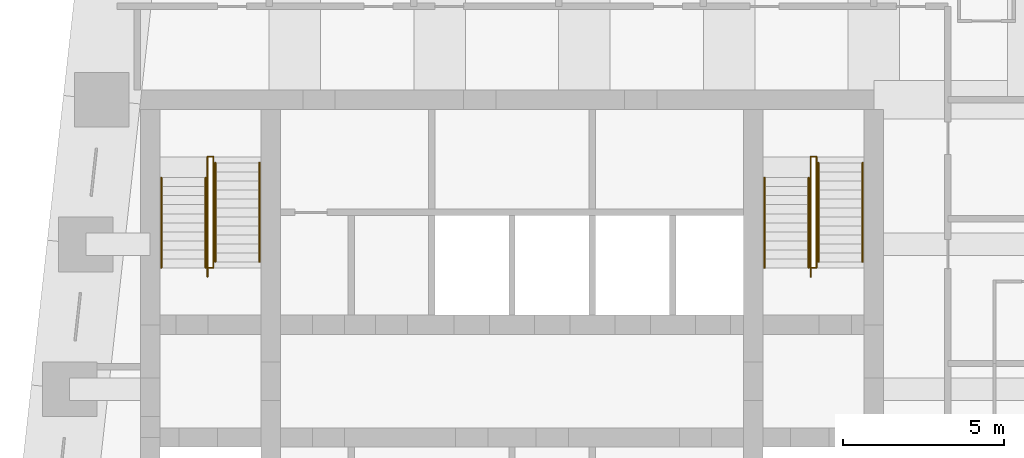
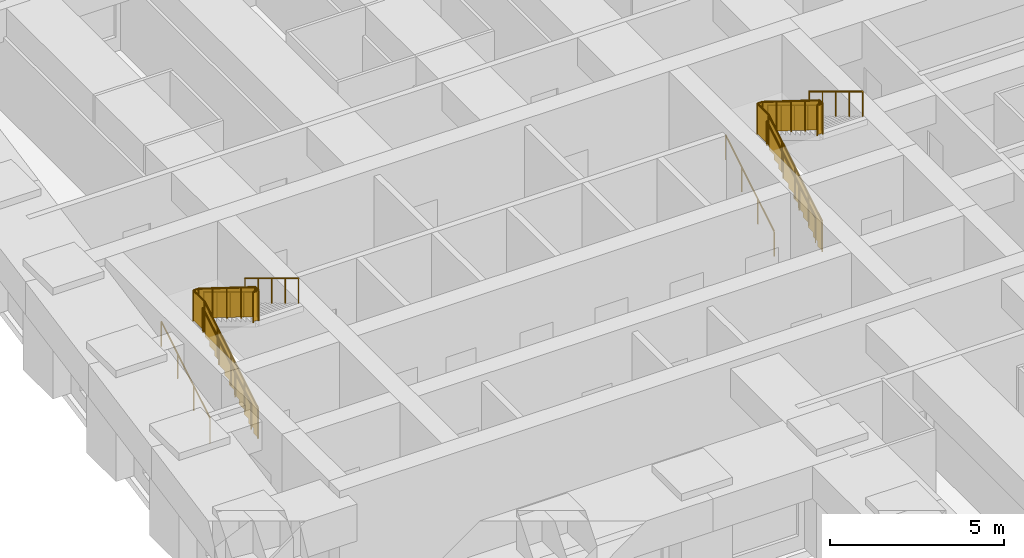
# One storey, part 7 of 7: 12 railings.
"""IFC4 building model written with IfcOpenShell, lengths in metres."""

from ifc_helpers import new_model, si_unit, direction, frame, origin, origin_2d, place, context, subcontext, project, spatial, polyline, circle, outline, extrude, material, type_object, element, save


model = new_model("IFC4")

# Units and contexts
model_context = context("Model", 3, precision=1e-05, world=origin(), true_north=direction((0.0, 1.0)))
body_context = subcontext(model_context, "Body", "Model", "MODEL_VIEW")
ifc_project = project(units=[si_unit("LENGTHUNIT", "METRE"), si_unit("AREAUNIT", "SQUARE_METRE"), si_unit("VOLUMEUNIT", "CUBIC_METRE"), si_unit("PLANEANGLEUNIT", "RADIAN"), si_unit("MASSUNIT", "GRAM", prefix="KILO")], contexts=[model_context])

# Site, building, storey
site_placement = place(None, origin())
site = spatial("IfcSite", under=ifc_project, at=site_placement, CompositionType="ELEMENT")
building_placement = place(site_placement, origin())
building = spatial("IfcBuilding", under=site, at=building_placement, Name="Kilele Tower Hotel", CompositionType="ELEMENT")
storey_placement = place(building_placement, frame((0.0, 0.0, 221.300048828125)))
storey = spatial("IfcBuildingStorey", under=building, at=storey_placement, Name="L57", CompositionType="ELEMENT", Elevation=221.300048828125)

# Railings
ifc_material_1 = material(Name="Steel handrail", Category="steel")
railing_type_1 = type_object("IfcRailingType", Name="Handrail 900", PredefinedType="HANDRAIL", material=ifc_material_1)
for number, where, name in (
    (1, (13.85009765625, 21.77490234375, 0.16943359375), "Handrail ST1 flight 1"),
    (2, (15.22509765625, 21.77490234375, 0.16943359375), "Handrail ST1 flight 1"),
):
    element("IfcRailing", number, at=place(storey_placement, frame(where)), inside=storey, type_object=railing_type_1, Name=name, PredefinedType="HANDRAIL", context=body_context, shape_type="SweptSolid", body=[
        extrude(circle(Radius=0.02490234375, at=origin_2d()), frame((0.0, 0.0, 0.875), z_axis=(0.0, 0.855360072898, 0.518033923302), x_axis=(-1.0, 0.0, 0.0)), (0.0, 0.0, 1.0), 3.2734375),
        extrude(circle(Radius=0.02001953125, at=origin_2d()), origin(), (0.0, 0.0, 1.0), 0.849853515625),
        extrude(circle(Radius=0.02001953125, at=origin_2d()), frame((0.0, 0.933349609375, 0.565185546875)), (0.0, 0.0, 1.0), 0.849853515625),
        extrude(circle(Radius=0.02001953125, at=origin_2d()), frame((0.0, 1.86669921875, 1.130615234375)), (0.0, 0.0, 1.0), 0.849853515625),
        extrude(circle(Radius=0.02001953125, at=origin_2d()), frame((0.0, 2.800048828125, 1.69580078125)), (0.0, 0.0, 1.0), 0.849853515625),
    ])
for number, where, name in (
    (3, (15.52490234375, 25.0400390625, 2.03466796875), "Handrail ST1 flight 2"),
    (4, (16.89990234375, 25.0400390625, 2.03466796875), "Handrail ST1 flight 2"),
):
    element("IfcRailing", number, at=place(storey_placement, frame(where)), inside=storey, type_object=railing_type_1, Name=name, PredefinedType="HANDRAIL", context=body_context, shape_type="SweptSolid", body=[
        extrude(circle(Radius=0.02490234375, at=origin_2d()), frame((0.0, 0.0, 0.875), z_axis=(0.0, -0.855379917629, 0.518001154937), x_axis=(1.0, 0.0, 0.0)), (0.0, 0.0, 1.0), 3.600830078125),
        extrude(circle(Radius=0.02001953125, at=origin_2d()), origin(), (0.0, 0.0, 1.0), 0.849853515625),
        extrude(circle(Radius=0.02001953125, at=origin_2d()), frame((0.0, -0.77001953125, 0.46630859375)), (0.0, 0.0, 1.0), 0.849853515625),
        extrude(circle(Radius=0.02001953125, at=origin_2d()), frame((0.0, -1.5400390625, 0.9326171875)), (0.0, 0.0, 1.0), 0.849853515625),
        extrude(circle(Radius=0.02001953125, at=origin_2d()), frame((0.0, -2.31005859375, 1.39892578125)), (0.0, 0.0, 1.0), 0.849853515625),
        extrude(circle(Radius=0.02001953125, at=origin_2d()), frame((0.0, -3.080078125, 1.865234375)), (0.0, 0.0, 1.0), 0.849853515625),
    ])
for number, where, name in (
    (5, (32.60009765625, 21.77490234375, 0.16943359375), "Handrail ST2 flight 1"),
    (6, (33.97509765625, 21.77490234375, 0.16943359375), "Handrail ST2 flight 1"),
):
    element("IfcRailing", number, at=place(storey_placement, frame(where)), inside=storey, type_object=railing_type_1, Name=name, PredefinedType="HANDRAIL", context=body_context, shape_type="SweptSolid", body=[
        extrude(circle(Radius=0.02490234375, at=origin_2d()), frame((0.0, 0.0, 0.875), z_axis=(0.0, 0.855360072898, 0.518033923302), x_axis=(-1.0, 0.0, 0.0)), (0.0, 0.0, 1.0), 3.2734375),
        extrude(circle(Radius=0.02001953125, at=origin_2d()), origin(), (0.0, 0.0, 1.0), 0.849853515625),
        extrude(circle(Radius=0.02001953125, at=origin_2d()), frame((0.0, 0.933349609375, 0.565185546875)), (0.0, 0.0, 1.0), 0.849853515625),
        extrude(circle(Radius=0.02001953125, at=origin_2d()), frame((0.0, 1.86669921875, 1.130615234375)), (0.0, 0.0, 1.0), 0.849853515625),
        extrude(circle(Radius=0.02001953125, at=origin_2d()), frame((0.0, 2.800048828125, 1.69580078125)), (0.0, 0.0, 1.0), 0.849853515625),
    ])
for number, where, name in (
    (7, (34.27490234375, 25.0400390625, 2.03466796875), "Handrail ST2 flight 2"),
    (8, (35.64990234375, 25.0400390625, 2.03466796875), "Handrail ST2 flight 2"),
):
    element("IfcRailing", number, at=place(storey_placement, frame(where)), inside=storey, type_object=railing_type_1, Name=name, PredefinedType="HANDRAIL", context=body_context, shape_type="SweptSolid", body=[
        extrude(circle(Radius=0.02490234375, at=origin_2d()), frame((0.0, 0.0, 0.875), z_axis=(0.0, -0.855379917629, 0.518001154937), x_axis=(1.0, 0.0, 0.0)), (0.0, 0.0, 1.0), 3.600830078125),
        extrude(circle(Radius=0.02001953125, at=origin_2d()), origin(), (0.0, 0.0, 1.0), 0.849853515625),
        extrude(circle(Radius=0.02001953125, at=origin_2d()), frame((0.0, -0.77001953125, 0.46630859375)), (0.0, 0.0, 1.0), 0.849853515625),
        extrude(circle(Radius=0.02001953125, at=origin_2d()), frame((0.0, -1.5400390625, 0.9326171875)), (0.0, 0.0, 1.0), 0.849853515625),
        extrude(circle(Radius=0.02001953125, at=origin_2d()), frame((0.0, -2.31005859375, 1.39892578125)), (0.0, 0.0, 1.0), 0.849853515625),
        extrude(circle(Radius=0.02001953125, at=origin_2d()), frame((0.0, -3.080078125, 1.865234375)), (0.0, 0.0, 1.0), 0.849853515625),
    ])
ifc_material_2 = material(Name="Steel guard", Category="steel")
railing_type_2 = type_object("IfcRailingType", Name="Stair guard 1100", PredefinedType="GUARDRAIL", material=ifc_material_2)
railing_1_placement = place(storey_placement, frame((15.284912109375, 21.4951171875, 0.0)))
element("IfcRailing", 9, at=railing_1_placement, inside=storey, type_object=railing_type_2, Name="Stair well guard ST1 flight 1", PredefinedType="GUARDRAIL", context=body_context, shape_type="SweptSolid", body=[
    extrude(circle(Radius=0.02490234375, at=origin_2d()), frame((0.0, 0.0, 1.0751953125), z_axis=(0.0, 0.855361723277, 0.518031198243), x_axis=(-1.0, 0.0, 0.0)), (0.0, 0.0, 1.0), 3.6005859375),
    extrude(circle(Radius=0.02490234375, at=origin_2d()), frame((0.0, 3.079833984375, 2.9404296875), z_axis=(0.0, 1.0, 0.0), x_axis=(-1.0, 0.0, 0.0)), (0.0, 0.0, 1.0), 0.650146484375),
    extrude(circle(Radius=0.02490234375, at=origin_2d()), frame((0.0, 3.72998046875, 2.9404296875), z_axis=(1.0, 0.0, 0.0), x_axis=(0.0, 1.0, 0.0)), (0.0, 0.0, 1.0), 0.18017578125),
    extrude(circle(Radius=0.02490234375, at=origin_2d()), origin(), (0.0, 0.0, 1.0), 1.050048828125),
    extrude(circle(Radius=0.02490234375, at=origin_2d()), frame((0.0, 0.77001953125, 0.46630859375)), (0.0, 0.0, 1.0), 1.050048828125),
    extrude(circle(Radius=0.02490234375, at=origin_2d()), frame((0.0, 1.5400390625, 0.9326171875)), (0.0, 0.0, 1.0), 1.050048828125),
    extrude(circle(Radius=0.02490234375, at=origin_2d()), frame((0.0, 2.309814453125, 1.39892578125)), (0.0, 0.0, 1.0), 1.050048828125),
    extrude(circle(Radius=0.02490234375, at=origin_2d()), frame((0.0, 3.079833984375, 1.865234375)), (0.0, 0.0, 1.0), 1.050048828125),
    extrude(circle(Radius=0.02490234375, at=origin_2d()), frame((0.0, 3.72998046875, 1.865234375)), (0.0, 0.0, 1.0), 1.050048828125),
    extrude(circle(Radius=0.02490234375, at=origin_2d()), frame((0.18017578125, 3.72998046875, 1.865234375)), (0.0, 0.0, 1.0), 1.050048828125),
    extrude(outline(polyline([(0.012451171875, 0.030029296875), (0.25, 0.030029296875), (0.25, 0.19970703125), (0.530029296875, 0.19970703125), (0.530029296875, 0.369140625), (0.809814453125, 0.369140625), (0.809814453125, 0.538818359375), (1.08984375, 0.538818359375), (1.08984375, 0.708251953125), (1.369873046875, 0.708251953125), (1.369873046875, 0.8779296875), (1.64990234375, 0.8779296875), (1.64990234375, 1.04736328125), (1.929931640625, 1.04736328125), (1.929931640625, 1.217041015625), (2.2099609375, 1.217041015625), (2.2099609375, 1.386474609375), (2.48974609375, 1.386474609375), (2.48974609375, 1.55615234375), (2.769775390625, 1.55615234375), (2.769775390625, 1.7255859375), (3.0498046875, 1.7255859375), (3.0498046875, 1.895263671875), (3.0673828125, 1.895263671875), (3.0673828125, 2.903564453125), (0.012451171875, 1.053466796875), (0.012451171875, 0.030029296875)])), frame((-0.005859375, 0.0, 0.0), z_axis=(1.0, 0.0, 0.0), x_axis=(0.0, 1.0, 0.0)), (0.0, 0.0, 1.0), 0.011962890625),
    extrude(outline(polyline([(0.012451171875, 0.030029296875), (0.6376953125, 0.030029296875), (0.6376953125, 1.050048828125), (0.012451171875, 1.050048828125), (0.012451171875, 0.030029296875)])), frame((-0.005859375, 3.079833984375, 1.865234375), z_axis=(1.0, 0.0, 0.0), x_axis=(0.0, 1.0, 0.0)), (0.0, 0.0, 1.0), 0.011962890625),
    extrude(outline(polyline([(0.012451171875, 0.030029296875), (0.18017578125, 0.030029296875), (0.18017578125, 1.050048828125), (0.012451171875, 1.050048828125), (0.012451171875, 0.030029296875)])), frame((0.0, 3.73583984375, 1.865234375), z_axis=(0.0, -1.0, 0.0), x_axis=(1.0, 0.0, 0.0)), (0.0, 0.0, 1.0), 0.011962890625),
])
railing_2_placement = place(storey_placement, frame((15.465087890625, 25.22509765625, 1.865234375)))
element("IfcRailing", 10, at=railing_2_placement, inside=storey, type_object=railing_type_2, Name="Stair well guard ST1 flight 2", PredefinedType="GUARDRAIL", context=body_context, shape_type="SweptSolid", body=[
    extrude(circle(Radius=0.02490234375, at=origin_2d()), frame((0.0, 0.0, 1.0751953125), z_axis=(0.0, -0.848703446432, 0.528869038624), x_axis=(1.0, 0.0, 0.0)), (0.0, 0.0, 1.0), 3.84716796875),
    extrude(circle(Radius=0.02490234375, at=origin_2d()), frame((0.0, -3.26513671875, 3.10986328125), z_axis=(0.0, -1.0, 0.0), x_axis=(1.0, 0.0, 0.0)), (0.0, 0.0, 1.0), 0.18505859375),
    extrude(circle(Radius=0.02490234375, at=origin_2d()), frame((0.0, -3.4501953125, 3.10986328125), z_axis=(-1.0, 0.0, 0.0), x_axis=(0.0, -1.0, 0.0)), (0.0, 0.0, 1.0), 0.18017578125),
    extrude(circle(Radius=0.02490234375, at=origin_2d()), origin(), (0.0, 0.0, 1.0), 1.050048828125),
    extrude(circle(Radius=0.02490234375, at=origin_2d()), frame((0.0, -0.81640625, 0.5087890625)), (0.0, 0.0, 1.0), 1.050048828125),
    extrude(circle(Radius=0.02490234375, at=origin_2d()), frame((0.0, -1.632568359375, 1.017333984375)), (0.0, 0.0, 1.0), 1.050048828125),
    extrude(circle(Radius=0.02490234375, at=origin_2d()), frame((0.0, -2.44873046875, 1.52587890625)), (0.0, 0.0, 1.0), 1.050048828125),
    extrude(circle(Radius=0.02490234375, at=origin_2d()), frame((0.0, -3.26513671875, 2.03466796875)), (0.0, 0.0, 1.0), 1.050048828125),
    extrude(circle(Radius=0.02490234375, at=origin_2d()), frame((0.0, -3.4501953125, 2.03466796875)), (0.0, 0.0, 1.0), 1.050048828125),
    extrude(circle(Radius=0.02490234375, at=origin_2d()), frame((-0.18017578125, -3.4501953125, 2.03466796875)), (0.0, 0.0, 1.0), 1.050048828125),
    extrude(outline(polyline([(0.0, 0.030029296875), (3.252685546875, 2.056884765625), (3.252685546875, 3.072509765625), (0.0, 1.045654296875), (0.0, 0.030029296875)])), frame((0.005859375, 0.0, 0.0), z_axis=(-1.0, 0.0, 0.0), x_axis=(0.0, -1.0, 0.0)), (0.0, 0.0, 1.0), 0.011962890625),
    extrude(outline(polyline([(0.012451171875, 0.030029296875), (0.172607421875, 0.030029296875), (0.172607421875, 1.050048828125), (0.012451171875, 1.050048828125), (0.012451171875, 0.030029296875)])), frame((0.005859375, -3.26513671875, 2.03466796875), z_axis=(-1.0, 0.0, 0.0), x_axis=(0.0, -1.0, 0.0)), (0.0, 0.0, 1.0), 0.011962890625),
    extrude(outline(polyline([(0.012451171875, 0.030029296875), (0.18017578125, 0.030029296875), (0.18017578125, 1.050048828125), (0.012451171875, 1.050048828125), (0.012451171875, 0.030029296875)])), frame((0.0, -3.4560546875, 2.03466796875), z_axis=(0.0, 1.0, 0.0), x_axis=(-1.0, 0.0, 0.0)), (0.0, 0.0, 1.0), 0.011962890625),
])
railing_3_placement = place(storey_placement, frame((34.034912109375, 21.4951171875, 0.0)))
element("IfcRailing", 11, at=railing_3_placement, inside=storey, type_object=railing_type_2, Name="Stair well guard ST2 flight 1", PredefinedType="GUARDRAIL", context=body_context, shape_type="SweptSolid", body=[
    extrude(circle(Radius=0.02490234375, at=origin_2d()), frame((0.0, 0.0, 1.0751953125), z_axis=(0.0, 0.855361723277, 0.518031198243), x_axis=(-1.0, 0.0, 0.0)), (0.0, 0.0, 1.0), 3.6005859375),
    extrude(circle(Radius=0.02490234375, at=origin_2d()), frame((0.0, 3.079833984375, 2.9404296875), z_axis=(0.0, 1.0, 0.0), x_axis=(-1.0, 0.0, 0.0)), (0.0, 0.0, 1.0), 0.650146484375),
    extrude(circle(Radius=0.02490234375, at=origin_2d()), frame((0.0, 3.72998046875, 2.9404296875), z_axis=(1.0, 0.0, 0.0), x_axis=(0.0, 1.0, 0.0)), (0.0, 0.0, 1.0), 0.18017578125),
    extrude(circle(Radius=0.02490234375, at=origin_2d()), origin(), (0.0, 0.0, 1.0), 1.050048828125),
    extrude(circle(Radius=0.02490234375, at=origin_2d()), frame((0.0, 0.77001953125, 0.46630859375)), (0.0, 0.0, 1.0), 1.050048828125),
    extrude(circle(Radius=0.02490234375, at=origin_2d()), frame((0.0, 1.5400390625, 0.9326171875)), (0.0, 0.0, 1.0), 1.050048828125),
    extrude(circle(Radius=0.02490234375, at=origin_2d()), frame((0.0, 2.309814453125, 1.39892578125)), (0.0, 0.0, 1.0), 1.050048828125),
    extrude(circle(Radius=0.02490234375, at=origin_2d()), frame((0.0, 3.079833984375, 1.865234375)), (0.0, 0.0, 1.0), 1.050048828125),
    extrude(circle(Radius=0.02490234375, at=origin_2d()), frame((0.0, 3.72998046875, 1.865234375)), (0.0, 0.0, 1.0), 1.050048828125),
    extrude(circle(Radius=0.02490234375, at=origin_2d()), frame((0.18017578125, 3.72998046875, 1.865234375)), (0.0, 0.0, 1.0), 1.050048828125),
    extrude(outline(polyline([(0.012451171875, 0.030029296875), (0.25, 0.030029296875), (0.25, 0.19970703125), (0.530029296875, 0.19970703125), (0.530029296875, 0.369140625), (0.809814453125, 0.369140625), (0.809814453125, 0.538818359375), (1.08984375, 0.538818359375), (1.08984375, 0.708251953125), (1.369873046875, 0.708251953125), (1.369873046875, 0.8779296875), (1.64990234375, 0.8779296875), (1.64990234375, 1.04736328125), (1.929931640625, 1.04736328125), (1.929931640625, 1.217041015625), (2.2099609375, 1.217041015625), (2.2099609375, 1.386474609375), (2.48974609375, 1.386474609375), (2.48974609375, 1.55615234375), (2.769775390625, 1.55615234375), (2.769775390625, 1.7255859375), (3.0498046875, 1.7255859375), (3.0498046875, 1.895263671875), (3.0673828125, 1.895263671875), (3.0673828125, 2.903564453125), (0.012451171875, 1.053466796875), (0.012451171875, 0.030029296875)])), frame((-0.005859375, 0.0, 0.0), z_axis=(1.0, 0.0, 0.0), x_axis=(0.0, 1.0, 0.0)), (0.0, 0.0, 1.0), 0.011962890625),
    extrude(outline(polyline([(0.012451171875, 0.030029296875), (0.6376953125, 0.030029296875), (0.6376953125, 1.050048828125), (0.012451171875, 1.050048828125), (0.012451171875, 0.030029296875)])), frame((-0.005859375, 3.079833984375, 1.865234375), z_axis=(1.0, 0.0, 0.0), x_axis=(0.0, 1.0, 0.0)), (0.0, 0.0, 1.0), 0.011962890625),
    extrude(outline(polyline([(0.012451171875, 0.030029296875), (0.18017578125, 0.030029296875), (0.18017578125, 1.050048828125), (0.012451171875, 1.050048828125), (0.012451171875, 0.030029296875)])), frame((0.0, 3.73583984375, 1.865234375), z_axis=(0.0, -1.0, 0.0), x_axis=(1.0, 0.0, 0.0)), (0.0, 0.0, 1.0), 0.011962890625),
])
railing_4_placement = place(storey_placement, frame((34.215087890625, 25.22509765625, 1.865234375)))
element("IfcRailing", 12, at=railing_4_placement, inside=storey, type_object=railing_type_2, Name="Stair well guard ST2 flight 2", PredefinedType="GUARDRAIL", context=body_context, shape_type="SweptSolid", body=[
    extrude(circle(Radius=0.02490234375, at=origin_2d()), frame((0.0, 0.0, 1.0751953125), z_axis=(0.0, -0.848703446432, 0.528869038624), x_axis=(1.0, 0.0, 0.0)), (0.0, 0.0, 1.0), 3.84716796875),
    extrude(circle(Radius=0.02490234375, at=origin_2d()), frame((0.0, -3.26513671875, 3.10986328125), z_axis=(0.0, -1.0, 0.0), x_axis=(1.0, 0.0, 0.0)), (0.0, 0.0, 1.0), 0.18505859375),
    extrude(circle(Radius=0.02490234375, at=origin_2d()), frame((0.0, -3.4501953125, 3.10986328125), z_axis=(-1.0, 0.0, 0.0), x_axis=(0.0, -1.0, 0.0)), (0.0, 0.0, 1.0), 0.18017578125),
    extrude(circle(Radius=0.02490234375, at=origin_2d()), origin(), (0.0, 0.0, 1.0), 1.050048828125),
    extrude(circle(Radius=0.02490234375, at=origin_2d()), frame((0.0, -0.81640625, 0.5087890625)), (0.0, 0.0, 1.0), 1.050048828125),
    extrude(circle(Radius=0.02490234375, at=origin_2d()), frame((0.0, -1.632568359375, 1.017333984375)), (0.0, 0.0, 1.0), 1.050048828125),
    extrude(circle(Radius=0.02490234375, at=origin_2d()), frame((0.0, -2.44873046875, 1.52587890625)), (0.0, 0.0, 1.0), 1.050048828125),
    extrude(circle(Radius=0.02490234375, at=origin_2d()), frame((0.0, -3.26513671875, 2.03466796875)), (0.0, 0.0, 1.0), 1.050048828125),
    extrude(circle(Radius=0.02490234375, at=origin_2d()), frame((0.0, -3.4501953125, 2.03466796875)), (0.0, 0.0, 1.0), 1.050048828125),
    extrude(circle(Radius=0.02490234375, at=origin_2d()), frame((-0.18017578125, -3.4501953125, 2.03466796875)), (0.0, 0.0, 1.0), 1.050048828125),
    extrude(outline(polyline([(0.0, 0.030029296875), (3.252685546875, 2.056884765625), (3.252685546875, 3.072509765625), (0.0, 1.045654296875), (0.0, 0.030029296875)])), frame((0.005859375, 0.0, 0.0), z_axis=(-1.0, 0.0, 0.0), x_axis=(0.0, -1.0, 0.0)), (0.0, 0.0, 1.0), 0.011962890625),
    extrude(outline(polyline([(0.012451171875, 0.030029296875), (0.172607421875, 0.030029296875), (0.172607421875, 1.050048828125), (0.012451171875, 1.050048828125), (0.012451171875, 0.030029296875)])), frame((0.005859375, -3.26513671875, 2.03466796875), z_axis=(-1.0, 0.0, 0.0), x_axis=(0.0, -1.0, 0.0)), (0.0, 0.0, 1.0), 0.011962890625),
    extrude(outline(polyline([(0.012451171875, 0.030029296875), (0.18017578125, 0.030029296875), (0.18017578125, 1.050048828125), (0.012451171875, 1.050048828125), (0.012451171875, 0.030029296875)])), frame((0.0, -3.4560546875, 2.03466796875), z_axis=(0.0, 1.0, 0.0), x_axis=(-1.0, 0.0, 0.0)), (0.0, 0.0, 1.0), 0.011962890625),
])

save(model, "model.ifc")
